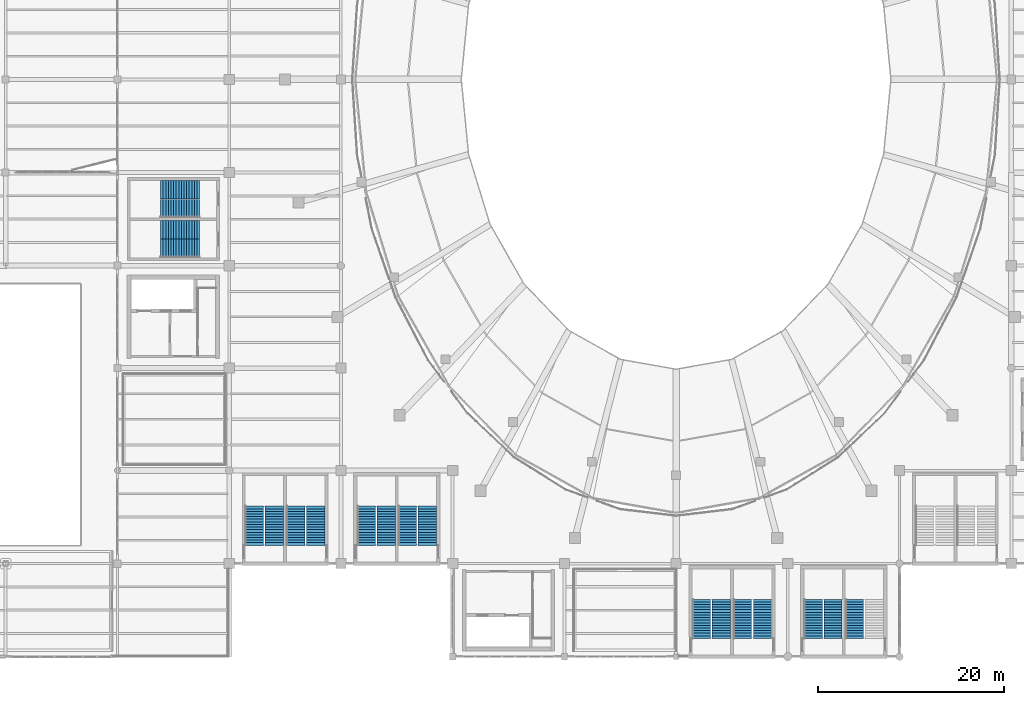
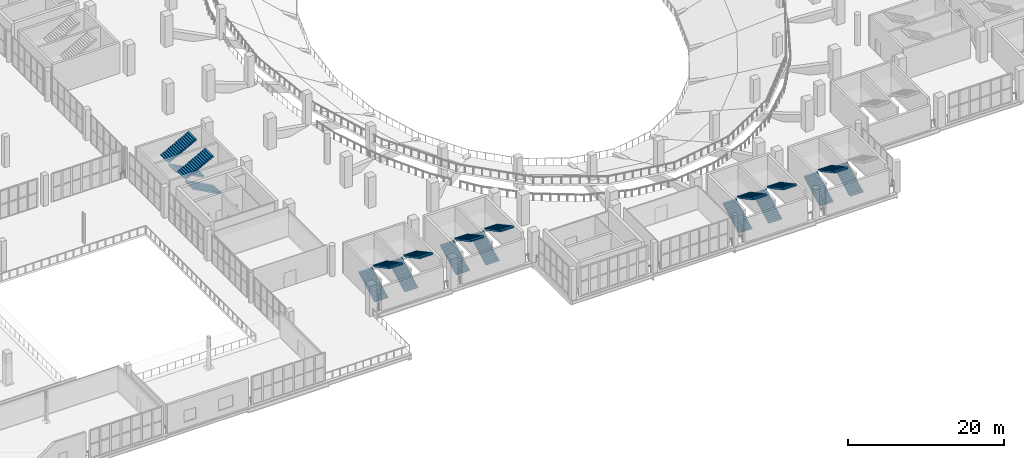
# One storey, part 115 of 136: 19 stair flights, 10 elements without a shape of their own.
"""IFC4 building model written with IfcOpenShell, lengths in metres."""

from ifc_helpers import new_model, si_unit, direction, frame, origin, place, context, subcontext, project, spatial, polyline, outline, extrude, material, layer, layer_set, type_object, element, aggregate, save


model = new_model("IFC4")

# Units and contexts
model_context = context("Model", 3, precision=1e-05, world=origin(), true_north=direction((0.0, 1.0)))
body_context = subcontext(model_context, "Body", "Model", "MODEL_VIEW")
ifc_project = project(units=[si_unit("LENGTHUNIT", "METRE"), si_unit("AREAUNIT", "SQUARE_METRE"), si_unit("VOLUMEUNIT", "CUBIC_METRE"), si_unit("PLANEANGLEUNIT", "RADIAN"), si_unit("MASSUNIT", "GRAM", prefix="KILO")], contexts=[model_context])

# Site, building, storey
site_placement = place(None, origin())
site = spatial("IfcSite", under=ifc_project, at=site_placement, CompositionType="ELEMENT")
building_placement = place(site_placement, origin())
building = spatial("IfcBuilding", under=site, at=building_placement, Name="Brinegate Civic Arena", CompositionType="ELEMENT")
storey_placement = place(building_placement, frame((0.0, 0.0, 5.39990234375)))
storey = spatial("IfcBuildingStorey", under=building, at=storey_placement, Name="L01", CompositionType="ELEMENT", Elevation=5.39990234375)

# Stair, stair flights
ifc_material = material(Name="Concrete C40/50", Category="concrete")
stair_type_1 = type_object("IfcStairType", Name="STAIR-EXIT-3700", PredefinedType="HALF_TURN_STAIR", material=ifc_material)
stair_1_placement = place(storey_placement, origin())
stair_1 = element("IfcStair", 1, at=stair_1_placement, inside=storey, type_object=stair_type_1, Name="Protected Exit Stair ST-02B (L01)", PredefinedType="HALF_TURN_STAIR")
ifc_layer_1 = layer(ifc_material, 0.179931640625, Name="Concrete C40/50")
ifc_layer_set_1 = layer_set([ifc_layer_1], Name="Concrete C40/50")
stair_flight_type_1 = type_object("IfcStairFlightType", Name="FLIGHT-EXIT-3700", PredefinedType="STRAIGHT", material=ifc_layer_set_1)
stair_flight_1_placement = place(storey_placement, frame((67.139892578125, 11.969970703125, 0.0), z_axis=(0.0, 0.0, 1.0), x_axis=(0.0, 1.0, 0.0)))
stair_flight_1 = element("IfcStairFlight", 2, at=stair_flight_1_placement, type_object=stair_flight_type_1, Name="ST-02B flight 1", NumberOfRisers=16, NumberOfTreads=15, PredefinedType="STRAIGHT", RiserHeight=0.15, TreadLength=0.28, context=body_context, shape_type="SweptSolid", body=[
    extrude(outline(polyline([(0.0, 0.0), (0.0, 0.14990234375), (0.280029296875, 0.14990234375), (0.280029296875, 0.300048828125), (0.56005859375, 0.300048828125), (0.56005859375, 0.449951171875), (0.840087890625, 0.449951171875), (0.840087890625, 0.60009765625), (1.1201171875, 0.60009765625), (1.1201171875, 0.75), (1.39990234375, 0.75), (1.39990234375, 0.89990234375), (1.679931640625, 0.89990234375), (1.679931640625, 1.050048828125), (1.9599609375, 1.050048828125), (1.9599609375, 1.199951171875), (2.239990234375, 1.199951171875), (2.239990234375, 1.35009765625), (2.52001953125, 1.35009765625), (2.52001953125, 1.5), (2.800048828125, 1.5), (2.800048828125, 1.64990234375), (3.080078125, 1.64990234375), (3.080078125, 1.800048828125), (3.360107421875, 1.800048828125), (3.360107421875, 1.949951171875), (3.639892578125, 1.949951171875), (3.639892578125, 2.10009765625), (3.919921875, 2.10009765625), (3.919921875, 2.25), (4.199951171875, 2.25), (4.199951171875, 2.39990234375), (4.199951171875, 2.0458984375), (0.381103515625, 0.0), (0.0, 0.0)])), frame((0.0, 0.97998046875, 0.0), z_axis=(0.0, -1.0, 0.0), x_axis=(1.0, 0.0, 0.0)), (0.0, 0.0, 1.0), 1.9599609375),
])
stair_flight_2_placement = place(storey_placement, frame((69.31005859375, 16.169921875, 2.400146484375), z_axis=(0.0, 0.0, 1.0), x_axis=(0.0, -1.0, 0.0)))
stair_flight_2 = element("IfcStairFlight", 3, at=stair_flight_2_placement, type_object=stair_flight_type_1, Name="ST-02B flight 2", NumberOfRisers=16, NumberOfTreads=15, PredefinedType="STRAIGHT", RiserHeight=0.15, TreadLength=0.28, context=body_context, shape_type="SweptSolid", body=[
    extrude(outline(polyline([(0.0, 0.0), (0.0, 0.14990234375), (0.280029296875, 0.14990234375), (0.280029296875, 0.300048828125), (0.56005859375, 0.300048828125), (0.56005859375, 0.449951171875), (0.840087890625, 0.449951171875), (0.840087890625, 0.60009765625), (1.1201171875, 0.60009765625), (1.1201171875, 0.75), (1.39990234375, 0.75), (1.39990234375, 0.89990234375), (1.679931640625, 0.89990234375), (1.679931640625, 1.050048828125), (1.9599609375, 1.050048828125), (1.9599609375, 1.199951171875), (2.239990234375, 1.199951171875), (2.239990234375, 1.35009765625), (2.52001953125, 1.35009765625), (2.52001953125, 1.5), (2.800048828125, 1.5), (2.800048828125, 1.64990234375), (3.080078125, 1.64990234375), (3.080078125, 1.800048828125), (3.360107421875, 1.800048828125), (3.360107421875, 1.949951171875), (3.639892578125, 1.949951171875), (3.639892578125, 2.10009765625), (3.919921875, 2.10009765625), (3.919921875, 2.25), (4.199951171875, 2.25), (4.199951171875, 2.39990234375), (4.199951171875, 2.0458984375), (0.381103515625, 0.0), (0.0, 0.0)])), frame((0.0, 0.97998046875, 0.0), z_axis=(0.0, -1.0, 0.0), x_axis=(1.0, 0.0, 0.0)), (0.0, 0.0, 1.0), 1.9599609375),
])
aggregate(stair_1, [stair_flight_1, stair_flight_2])

# Stair, stair flight
stair_2_placement = place(storey_placement, origin())
stair_2 = element("IfcStair", 4, at=stair_2_placement, inside=storey, type_object=stair_type_1, Name="Protected Exit Stair ST-04B (L01)", PredefinedType="HALF_TURN_STAIR")
stair_flight_3_placement = place(storey_placement, frame((127.139892578125, 1.969970703125, 0.0), z_axis=(0.0, 0.0, 1.0), x_axis=(0.0, 1.0, 0.0)))
stair_flight_3 = element("IfcStairFlight", 5, at=stair_flight_3_placement, type_object=stair_flight_type_1, Name="ST-04B flight 1", NumberOfRisers=16, NumberOfTreads=15, PredefinedType="STRAIGHT", RiserHeight=0.15, TreadLength=0.28, context=body_context, shape_type="SweptSolid", body=[
    extrude(outline(polyline([(0.0, 0.0), (0.0, 0.14990234375), (0.280029296875, 0.14990234375), (0.280029296875, 0.300048828125), (0.56005859375, 0.300048828125), (0.56005859375, 0.449951171875), (0.840087890625, 0.449951171875), (0.840087890625, 0.60009765625), (1.1201171875, 0.60009765625), (1.1201171875, 0.75), (1.39990234375, 0.75), (1.39990234375, 0.89990234375), (1.679931640625, 0.89990234375), (1.679931640625, 1.050048828125), (1.9599609375, 1.050048828125), (1.9599609375, 1.199951171875), (2.239990234375, 1.199951171875), (2.239990234375, 1.35009765625), (2.52001953125, 1.35009765625), (2.52001953125, 1.5), (2.800048828125, 1.5), (2.800048828125, 1.64990234375), (3.080078125, 1.64990234375), (3.080078125, 1.800048828125), (3.360107421875, 1.800048828125), (3.360107421875, 1.949951171875), (3.639892578125, 1.949951171875), (3.639892578125, 2.10009765625), (3.919921875, 2.10009765625), (3.919921875, 2.25), (4.199951171875, 2.25), (4.199951171875, 2.39990234375), (4.199951171875, 2.0458984375), (0.381103515625, 0.0), (0.0, 0.0)])), frame((0.0, 0.97998046875, 0.0), z_axis=(0.0, -1.0, 0.0), x_axis=(1.0, 0.0, 0.0)), (0.0, 0.0, 1.0), 1.9599609375),
])
aggregate(stair_2, [stair_flight_3])

# Stair, stair flights
stair_3_placement = place(storey_placement, origin())
stair_3 = element("IfcStair", 6, at=stair_3_placement, inside=storey, type_object=stair_type_1, Name="Protected Exit Stair ST-08B (L01)", PredefinedType="HALF_TURN_STAIR")
stair_flight_4_placement = place(storey_placement, frame((56.830078125, 48.139892578125, 0.0), z_axis=(0.0, 0.0, 1.0), x_axis=(-1.0, 0.0, 0.0)))
stair_flight_4 = element("IfcStairFlight", 7, at=stair_flight_4_placement, type_object=stair_flight_type_1, Name="ST-08B flight 1", NumberOfRisers=16, NumberOfTreads=15, PredefinedType="STRAIGHT", RiserHeight=0.15, TreadLength=0.28, context=body_context, shape_type="SweptSolid", body=[
    extrude(outline(polyline([(0.0, 0.0), (0.0, 0.14990234375), (0.280029296875, 0.14990234375), (0.280029296875, 0.300048828125), (0.56005859375, 0.300048828125), (0.56005859375, 0.449951171875), (0.840087890625, 0.449951171875), (0.840087890625, 0.60009765625), (1.1201171875, 0.60009765625), (1.1201171875, 0.75), (1.39990234375, 0.75), (1.39990234375, 0.89990234375), (1.679931640625, 0.89990234375), (1.679931640625, 1.050048828125), (1.9599609375, 1.050048828125), (1.9599609375, 1.199951171875), (2.239990234375, 1.199951171875), (2.239990234375, 1.35009765625), (2.52001953125, 1.35009765625), (2.52001953125, 1.5), (2.800048828125, 1.5), (2.800048828125, 1.64990234375), (3.080078125, 1.64990234375), (3.080078125, 1.800048828125), (3.360107421875, 1.800048828125), (3.360107421875, 1.949951171875), (3.639892578125, 1.949951171875), (3.639892578125, 2.10009765625), (3.919921875, 2.10009765625), (3.919921875, 2.25), (4.199951171875, 2.25), (4.199951171875, 2.39990234375), (4.199951171875, 2.0458984375), (0.381103515625, 0.0), (0.0, 0.0)])), frame((0.0, 0.97998046875, 0.0), z_axis=(0.0, -1.0, 0.0), x_axis=(1.0, 0.0, 0.0)), (0.0, 0.0, 1.0), 1.9599609375),
])
stair_flight_5_placement = place(storey_placement, frame((52.6298828125, 50.159912109375, 2.400146484375), z_axis=(0.0, 0.0, 1.0), x_axis=(1.0, 0.0, 0.0)))
stair_flight_5 = element("IfcStairFlight", 8, at=stair_flight_5_placement, type_object=stair_flight_type_1, Name="ST-08B flight 2", NumberOfRisers=16, NumberOfTreads=15, PredefinedType="STRAIGHT", RiserHeight=0.15, TreadLength=0.28, context=body_context, shape_type="SweptSolid", body=[
    extrude(outline(polyline([(0.0, 0.0), (0.0, 0.14990234375), (0.280029296875, 0.14990234375), (0.280029296875, 0.300048828125), (0.56005859375, 0.300048828125), (0.56005859375, 0.449951171875), (0.840087890625, 0.449951171875), (0.840087890625, 0.60009765625), (1.1201171875, 0.60009765625), (1.1201171875, 0.75), (1.39990234375, 0.75), (1.39990234375, 0.89990234375), (1.679931640625, 0.89990234375), (1.679931640625, 1.050048828125), (1.9599609375, 1.050048828125), (1.9599609375, 1.199951171875), (2.239990234375, 1.199951171875), (2.239990234375, 1.35009765625), (2.52001953125, 1.35009765625), (2.52001953125, 1.5), (2.800048828125, 1.5), (2.800048828125, 1.64990234375), (3.080078125, 1.64990234375), (3.080078125, 1.800048828125), (3.360107421875, 1.800048828125), (3.360107421875, 1.949951171875), (3.639892578125, 1.949951171875), (3.639892578125, 2.10009765625), (3.919921875, 2.10009765625), (3.919921875, 2.25), (4.199951171875, 2.25), (4.199951171875, 2.39990234375), (4.199951171875, 2.0458984375), (0.381103515625, 0.0), (0.0, 0.0)])), frame((0.0, 0.97998046875, 0.0), z_axis=(0.0, -1.0, 0.0), x_axis=(1.0, 0.0, 0.0)), (0.0, 0.0, 1.0), 1.9599609375),
])
aggregate(stair_3, [stair_flight_4, stair_flight_5])

stair_4_placement = place(storey_placement, origin())
stair_4 = element("IfcStair", 9, at=stair_4_placement, inside=storey, type_object=stair_type_1, Name="Protected Exit Stair ST-12B (L01)", PredefinedType="HALF_TURN_STAIR")
stair_flight_6_placement = place(storey_placement, frame((79.139892578125, 11.969970703125, 0.0), z_axis=(0.0, 0.0, 1.0), x_axis=(0.0, 1.0, 0.0)))
stair_flight_6 = element("IfcStairFlight", 10, at=stair_flight_6_placement, type_object=stair_flight_type_1, Name="ST-12B flight 1", NumberOfRisers=16, NumberOfTreads=15, PredefinedType="STRAIGHT", RiserHeight=0.15, TreadLength=0.28, context=body_context, shape_type="SweptSolid", body=[
    extrude(outline(polyline([(0.0, 0.0), (0.0, 0.14990234375), (0.280029296875, 0.14990234375), (0.280029296875, 0.300048828125), (0.56005859375, 0.300048828125), (0.56005859375, 0.449951171875), (0.840087890625, 0.449951171875), (0.840087890625, 0.60009765625), (1.1201171875, 0.60009765625), (1.1201171875, 0.75), (1.39990234375, 0.75), (1.39990234375, 0.89990234375), (1.679931640625, 0.89990234375), (1.679931640625, 1.050048828125), (1.9599609375, 1.050048828125), (1.9599609375, 1.199951171875), (2.239990234375, 1.199951171875), (2.239990234375, 1.35009765625), (2.52001953125, 1.35009765625), (2.52001953125, 1.5), (2.800048828125, 1.5), (2.800048828125, 1.64990234375), (3.080078125, 1.64990234375), (3.080078125, 1.800048828125), (3.360107421875, 1.800048828125), (3.360107421875, 1.949951171875), (3.639892578125, 1.949951171875), (3.639892578125, 2.10009765625), (3.919921875, 2.10009765625), (3.919921875, 2.25), (4.199951171875, 2.25), (4.199951171875, 2.39990234375), (4.199951171875, 2.0458984375), (0.381103515625, 0.0), (0.0, 0.0)])), frame((0.0, 0.97998046875, 0.0), z_axis=(0.0, -1.0, 0.0), x_axis=(1.0, 0.0, 0.0)), (0.0, 0.0, 1.0), 1.9599609375),
])
stair_flight_7_placement = place(storey_placement, frame((81.260009765625, 16.169921875, 2.400146484375), z_axis=(0.0, 0.0, 1.0), x_axis=(0.0, -1.0, 0.0)))
stair_flight_7 = element("IfcStairFlight", 11, at=stair_flight_7_placement, type_object=stair_flight_type_1, Name="ST-12B flight 2", NumberOfRisers=16, NumberOfTreads=15, PredefinedType="STRAIGHT", RiserHeight=0.15, TreadLength=0.28, context=body_context, shape_type="SweptSolid", body=[
    extrude(outline(polyline([(0.0, 0.0), (0.0, 0.14990234375), (0.280029296875, 0.14990234375), (0.280029296875, 0.300048828125), (0.56005859375, 0.300048828125), (0.56005859375, 0.449951171875), (0.840087890625, 0.449951171875), (0.840087890625, 0.60009765625), (1.1201171875, 0.60009765625), (1.1201171875, 0.75), (1.39990234375, 0.75), (1.39990234375, 0.89990234375), (1.679931640625, 0.89990234375), (1.679931640625, 1.050048828125), (1.9599609375, 1.050048828125), (1.9599609375, 1.199951171875), (2.239990234375, 1.199951171875), (2.239990234375, 1.35009765625), (2.52001953125, 1.35009765625), (2.52001953125, 1.5), (2.800048828125, 1.5), (2.800048828125, 1.64990234375), (3.080078125, 1.64990234375), (3.080078125, 1.800048828125), (3.360107421875, 1.800048828125), (3.360107421875, 1.949951171875), (3.639892578125, 1.949951171875), (3.639892578125, 2.10009765625), (3.919921875, 2.10009765625), (3.919921875, 2.25), (4.199951171875, 2.25), (4.199951171875, 2.39990234375), (4.199951171875, 2.0458984375), (0.381103515625, 0.0), (0.0, 0.0)])), frame((0.0, 0.97998046875, 0.0), z_axis=(0.0, -1.0, 0.0), x_axis=(1.0, 0.0, 0.0)), (0.0, 0.0, 1.0), 1.9599609375),
])
aggregate(stair_4, [stair_flight_6, stair_flight_7])

stair_5_placement = place(storey_placement, origin())
stair_5 = element("IfcStair", 12, at=stair_5_placement, inside=storey, type_object=stair_type_1, Name="Protected Exit Stair ST-16B (L01)", PredefinedType="HALF_TURN_STAIR")
stair_flight_8_placement = place(storey_placement, frame((115.139892578125, 1.969970703125, 0.0), z_axis=(0.0, 0.0, 1.0), x_axis=(0.0, 1.0, 0.0)))
stair_flight_8 = element("IfcStairFlight", 13, at=stair_flight_8_placement, type_object=stair_flight_type_1, Name="ST-16B flight 1", NumberOfRisers=16, NumberOfTreads=15, PredefinedType="STRAIGHT", RiserHeight=0.15, TreadLength=0.28, context=body_context, shape_type="SweptSolid", body=[
    extrude(outline(polyline([(0.0, 0.0), (0.0, 0.14990234375), (0.280029296875, 0.14990234375), (0.280029296875, 0.300048828125), (0.56005859375, 0.300048828125), (0.56005859375, 0.449951171875), (0.840087890625, 0.449951171875), (0.840087890625, 0.60009765625), (1.1201171875, 0.60009765625), (1.1201171875, 0.75), (1.39990234375, 0.75), (1.39990234375, 0.89990234375), (1.679931640625, 0.89990234375), (1.679931640625, 1.050048828125), (1.9599609375, 1.050048828125), (1.9599609375, 1.199951171875), (2.239990234375, 1.199951171875), (2.239990234375, 1.35009765625), (2.52001953125, 1.35009765625), (2.52001953125, 1.5), (2.800048828125, 1.5), (2.800048828125, 1.64990234375), (3.080078125, 1.64990234375), (3.080078125, 1.800048828125), (3.360107421875, 1.800048828125), (3.360107421875, 1.949951171875), (3.639892578125, 1.949951171875), (3.639892578125, 2.10009765625), (3.919921875, 2.10009765625), (3.919921875, 2.25), (4.199951171875, 2.25), (4.199951171875, 2.39990234375), (4.199951171875, 2.0458984375), (0.381103515625, 0.0), (0.0, 0.0)])), frame((0.0, 0.97998046875, 0.0), z_axis=(0.0, -1.0, 0.0), x_axis=(1.0, 0.0, 0.0)), (0.0, 0.0, 1.0), 1.9599609375),
])
stair_flight_9_placement = place(storey_placement, frame((117.280029296875, 6.169921875, 2.400146484375), z_axis=(0.0, 0.0, 1.0), x_axis=(0.0, -1.0, 0.0)))
stair_flight_9 = element("IfcStairFlight", 14, at=stair_flight_9_placement, type_object=stair_flight_type_1, Name="ST-16B flight 2", NumberOfRisers=16, NumberOfTreads=15, PredefinedType="STRAIGHT", RiserHeight=0.15, TreadLength=0.28, context=body_context, shape_type="SweptSolid", body=[
    extrude(outline(polyline([(0.0, 0.0), (0.0, 0.14990234375), (0.280029296875, 0.14990234375), (0.280029296875, 0.300048828125), (0.56005859375, 0.300048828125), (0.56005859375, 0.449951171875), (0.840087890625, 0.449951171875), (0.840087890625, 0.60009765625), (1.1201171875, 0.60009765625), (1.1201171875, 0.75), (1.39990234375, 0.75), (1.39990234375, 0.89990234375), (1.679931640625, 0.89990234375), (1.679931640625, 1.050048828125), (1.9599609375, 1.050048828125), (1.9599609375, 1.199951171875), (2.239990234375, 1.199951171875), (2.239990234375, 1.35009765625), (2.52001953125, 1.35009765625), (2.52001953125, 1.5), (2.800048828125, 1.5), (2.800048828125, 1.64990234375), (3.080078125, 1.64990234375), (3.080078125, 1.800048828125), (3.360107421875, 1.800048828125), (3.360107421875, 1.949951171875), (3.639892578125, 1.949951171875), (3.639892578125, 2.10009765625), (3.919921875, 2.10009765625), (3.919921875, 2.25), (4.199951171875, 2.25), (4.199951171875, 2.39990234375), (4.199951171875, 2.0458984375), (0.381103515625, 0.0), (0.0, 0.0)])), frame((0.0, 0.97998046875, 0.0), z_axis=(0.0, -1.0, 0.0), x_axis=(1.0, 0.0, 0.0)), (0.0, 0.0, 1.0), 1.9599609375),
])
aggregate(stair_5, [stair_flight_8, stair_flight_9])

stair_type_2 = type_object("IfcStairType", Name="STAIR-EXIT-3850", PredefinedType="HALF_TURN_STAIR", material=ifc_material)
stair_6_placement = place(storey_placement, origin())
stair_6 = element("IfcStair", 15, at=stair_6_placement, inside=storey, type_object=stair_type_2, Name="Protected Exit Stair ST-02A (L01)", PredefinedType="HALF_TURN_STAIR")
ifc_layer_2 = layer(ifc_material, 0.179931640625, Name="Concrete C40/50")
ifc_layer_set_2 = layer_set([ifc_layer_2], Name="Concrete C40/50")
stair_flight_type_2 = type_object("IfcStairFlightType", Name="FLIGHT-EXIT-3850", PredefinedType="STRAIGHT", material=ifc_layer_set_2)
stair_flight_10_placement = place(storey_placement, frame((62.699951171875, 11.969970703125, 0.0), z_axis=(0.0, 0.0, 1.0), x_axis=(0.0, 1.0, 0.0)))
stair_flight_10 = element("IfcStairFlight", 16, at=stair_flight_10_placement, type_object=stair_flight_type_2, Name="ST-02A flight 1", NumberOfRisers=16, NumberOfTreads=15, PredefinedType="STRAIGHT", RiserHeight=0.15, TreadLength=0.28, context=body_context, shape_type="SweptSolid", body=[
    extrude(outline(polyline([(0.0, 0.0), (0.0, 0.14990234375), (0.280029296875, 0.14990234375), (0.280029296875, 0.300048828125), (0.56005859375, 0.300048828125), (0.56005859375, 0.449951171875), (0.840087890625, 0.449951171875), (0.840087890625, 0.60009765625), (1.1201171875, 0.60009765625), (1.1201171875, 0.75), (1.39990234375, 0.75), (1.39990234375, 0.89990234375), (1.679931640625, 0.89990234375), (1.679931640625, 1.050048828125), (1.9599609375, 1.050048828125), (1.9599609375, 1.199951171875), (2.239990234375, 1.199951171875), (2.239990234375, 1.35009765625), (2.52001953125, 1.35009765625), (2.52001953125, 1.5), (2.800048828125, 1.5), (2.800048828125, 1.64990234375), (3.080078125, 1.64990234375), (3.080078125, 1.800048828125), (3.360107421875, 1.800048828125), (3.360107421875, 1.949951171875), (3.639892578125, 1.949951171875), (3.639892578125, 2.10009765625), (3.919921875, 2.10009765625), (3.919921875, 2.25), (4.199951171875, 2.25), (4.199951171875, 2.39990234375), (4.199951171875, 2.0458984375), (0.381103515625, 0.0), (0.0, 0.0)])), frame((0.0, 0.989990234375, 0.0), z_axis=(0.0, -1.0, 0.0), x_axis=(1.0, 0.0, 0.0)), (0.0, 0.0, 1.0), 1.97998046875),
])
stair_flight_11_placement = place(storey_placement, frame((64.85009765625, 16.169921875, 2.400146484375), z_axis=(0.0, 0.0, 1.0), x_axis=(0.0, -1.0, 0.0)))
stair_flight_11 = element("IfcStairFlight", 17, at=stair_flight_11_placement, type_object=stair_flight_type_2, Name="ST-02A flight 2", NumberOfRisers=16, NumberOfTreads=15, PredefinedType="STRAIGHT", RiserHeight=0.15, TreadLength=0.28, context=body_context, shape_type="SweptSolid", body=[
    extrude(outline(polyline([(0.0, 0.0), (0.0, 0.14990234375), (0.280029296875, 0.14990234375), (0.280029296875, 0.300048828125), (0.56005859375, 0.300048828125), (0.56005859375, 0.449951171875), (0.840087890625, 0.449951171875), (0.840087890625, 0.60009765625), (1.1201171875, 0.60009765625), (1.1201171875, 0.75), (1.39990234375, 0.75), (1.39990234375, 0.89990234375), (1.679931640625, 0.89990234375), (1.679931640625, 1.050048828125), (1.9599609375, 1.050048828125), (1.9599609375, 1.199951171875), (2.239990234375, 1.199951171875), (2.239990234375, 1.35009765625), (2.52001953125, 1.35009765625), (2.52001953125, 1.5), (2.800048828125, 1.5), (2.800048828125, 1.64990234375), (3.080078125, 1.64990234375), (3.080078125, 1.800048828125), (3.360107421875, 1.800048828125), (3.360107421875, 1.949951171875), (3.639892578125, 1.949951171875), (3.639892578125, 2.10009765625), (3.919921875, 2.10009765625), (3.919921875, 2.25), (4.199951171875, 2.25), (4.199951171875, 2.39990234375), (4.199951171875, 2.0458984375), (0.381103515625, 0.0), (0.0, 0.0)])), frame((0.0, 0.989990234375, 0.0), z_axis=(0.0, -1.0, 0.0), x_axis=(1.0, 0.0, 0.0)), (0.0, 0.0, 1.0), 1.97998046875),
])
aggregate(stair_6, [stair_flight_10, stair_flight_11])

stair_7_placement = place(storey_placement, origin())
stair_7 = element("IfcStair", 18, at=stair_7_placement, inside=storey, type_object=stair_type_2, Name="Protected Exit Stair ST-04A (L01)", PredefinedType="HALF_TURN_STAIR")
stair_flight_12_placement = place(storey_placement, frame((122.72998046875, 1.969970703125, 0.0), z_axis=(0.0, 0.0, 1.0), x_axis=(0.0, 1.0, 0.0)))
stair_flight_12 = element("IfcStairFlight", 19, at=stair_flight_12_placement, type_object=stair_flight_type_2, Name="ST-04A flight 1", NumberOfRisers=16, NumberOfTreads=15, PredefinedType="STRAIGHT", RiserHeight=0.15, TreadLength=0.28, context=body_context, shape_type="SweptSolid", body=[
    extrude(outline(polyline([(0.0, 0.0), (0.0, 0.14990234375), (0.280029296875, 0.14990234375), (0.280029296875, 0.300048828125), (0.56005859375, 0.300048828125), (0.56005859375, 0.449951171875), (0.840087890625, 0.449951171875), (0.840087890625, 0.60009765625), (1.1201171875, 0.60009765625), (1.1201171875, 0.75), (1.39990234375, 0.75), (1.39990234375, 0.89990234375), (1.679931640625, 0.89990234375), (1.679931640625, 1.050048828125), (1.9599609375, 1.050048828125), (1.9599609375, 1.199951171875), (2.239990234375, 1.199951171875), (2.239990234375, 1.35009765625), (2.52001953125, 1.35009765625), (2.52001953125, 1.5), (2.800048828125, 1.5), (2.800048828125, 1.64990234375), (3.080078125, 1.64990234375), (3.080078125, 1.800048828125), (3.360107421875, 1.800048828125), (3.360107421875, 1.949951171875), (3.639892578125, 1.949951171875), (3.639892578125, 2.10009765625), (3.919921875, 2.10009765625), (3.919921875, 2.25), (4.199951171875, 2.25), (4.199951171875, 2.39990234375), (4.199951171875, 2.0458984375), (0.381103515625, 0.0), (0.0, 0.0)])), frame((0.0, 0.989990234375, 0.0), z_axis=(0.0, -1.0, 0.0), x_axis=(1.0, 0.0, 0.0)), (0.0, 0.0, 1.0), 1.97998046875),
])
stair_flight_13_placement = place(storey_placement, frame((124.85009765625, 6.169921875, 2.400146484375), z_axis=(0.0, 0.0, 1.0), x_axis=(0.0, -1.0, 0.0)))
stair_flight_13 = element("IfcStairFlight", 20, at=stair_flight_13_placement, type_object=stair_flight_type_2, Name="ST-04A flight 2", NumberOfRisers=16, NumberOfTreads=15, PredefinedType="STRAIGHT", RiserHeight=0.15, TreadLength=0.28, context=body_context, shape_type="SweptSolid", body=[
    extrude(outline(polyline([(0.0, 0.0), (0.0, 0.14990234375), (0.280029296875, 0.14990234375), (0.280029296875, 0.300048828125), (0.56005859375, 0.300048828125), (0.56005859375, 0.449951171875), (0.840087890625, 0.449951171875), (0.840087890625, 0.60009765625), (1.1201171875, 0.60009765625), (1.1201171875, 0.75), (1.39990234375, 0.75), (1.39990234375, 0.89990234375), (1.679931640625, 0.89990234375), (1.679931640625, 1.050048828125), (1.9599609375, 1.050048828125), (1.9599609375, 1.199951171875), (2.239990234375, 1.199951171875), (2.239990234375, 1.35009765625), (2.52001953125, 1.35009765625), (2.52001953125, 1.5), (2.800048828125, 1.5), (2.800048828125, 1.64990234375), (3.080078125, 1.64990234375), (3.080078125, 1.800048828125), (3.360107421875, 1.800048828125), (3.360107421875, 1.949951171875), (3.639892578125, 1.949951171875), (3.639892578125, 2.10009765625), (3.919921875, 2.10009765625), (3.919921875, 2.25), (4.199951171875, 2.25), (4.199951171875, 2.39990234375), (4.199951171875, 2.0458984375), (0.381103515625, 0.0), (0.0, 0.0)])), frame((0.0, 0.989990234375, 0.0), z_axis=(0.0, -1.0, 0.0), x_axis=(1.0, 0.0, 0.0)), (0.0, 0.0, 1.0), 1.97998046875),
])
aggregate(stair_7, [stair_flight_12, stair_flight_13])

stair_8_placement = place(storey_placement, origin())
stair_8 = element("IfcStair", 21, at=stair_8_placement, inside=storey, type_object=stair_type_2, Name="Protected Exit Stair ST-08A (L01)", PredefinedType="HALF_TURN_STAIR")
stair_flight_14_placement = place(storey_placement, frame((56.830078125, 43.85009765625, 0.0), z_axis=(0.0, 0.0, 1.0), x_axis=(-1.0, 0.0, 0.0)))
stair_flight_14 = element("IfcStairFlight", 22, at=stair_flight_14_placement, type_object=stair_flight_type_2, Name="ST-08A flight 1", NumberOfRisers=16, NumberOfTreads=15, PredefinedType="STRAIGHT", RiserHeight=0.15, TreadLength=0.28, context=body_context, shape_type="SweptSolid", body=[
    extrude(outline(polyline([(0.0, 0.0), (0.0, 0.14990234375), (0.280029296875, 0.14990234375), (0.280029296875, 0.300048828125), (0.56005859375, 0.300048828125), (0.56005859375, 0.449951171875), (0.840087890625, 0.449951171875), (0.840087890625, 0.60009765625), (1.1201171875, 0.60009765625), (1.1201171875, 0.75), (1.39990234375, 0.75), (1.39990234375, 0.89990234375), (1.679931640625, 0.89990234375), (1.679931640625, 1.050048828125), (1.9599609375, 1.050048828125), (1.9599609375, 1.199951171875), (2.239990234375, 1.199951171875), (2.239990234375, 1.35009765625), (2.52001953125, 1.35009765625), (2.52001953125, 1.5), (2.800048828125, 1.5), (2.800048828125, 1.64990234375), (3.080078125, 1.64990234375), (3.080078125, 1.800048828125), (3.360107421875, 1.800048828125), (3.360107421875, 1.949951171875), (3.639892578125, 1.949951171875), (3.639892578125, 2.10009765625), (3.919921875, 2.10009765625), (3.919921875, 2.25), (4.199951171875, 2.25), (4.199951171875, 2.39990234375), (4.199951171875, 2.0458984375), (0.381103515625, 0.0), (0.0, 0.0)])), frame((0.0, 0.989990234375, 0.0), z_axis=(0.0, -1.0, 0.0), x_axis=(1.0, 0.0, 0.0)), (0.0, 0.0, 1.0), 1.97998046875),
])
stair_flight_15_placement = place(storey_placement, frame((52.6298828125, 45.85009765625, 2.400146484375), z_axis=(0.0, 0.0, 1.0), x_axis=(1.0, 0.0, 0.0)))
stair_flight_15 = element("IfcStairFlight", 23, at=stair_flight_15_placement, type_object=stair_flight_type_2, Name="ST-08A flight 2", NumberOfRisers=16, NumberOfTreads=15, PredefinedType="STRAIGHT", RiserHeight=0.15, TreadLength=0.28, context=body_context, shape_type="SweptSolid", body=[
    extrude(outline(polyline([(0.0, 0.0), (0.0, 0.14990234375), (0.280029296875, 0.14990234375), (0.280029296875, 0.300048828125), (0.56005859375, 0.300048828125), (0.56005859375, 0.449951171875), (0.840087890625, 0.449951171875), (0.840087890625, 0.60009765625), (1.1201171875, 0.60009765625), (1.1201171875, 0.75), (1.39990234375, 0.75), (1.39990234375, 0.89990234375), (1.679931640625, 0.89990234375), (1.679931640625, 1.050048828125), (1.9599609375, 1.050048828125), (1.9599609375, 1.199951171875), (2.239990234375, 1.199951171875), (2.239990234375, 1.35009765625), (2.52001953125, 1.35009765625), (2.52001953125, 1.5), (2.800048828125, 1.5), (2.800048828125, 1.64990234375), (3.080078125, 1.64990234375), (3.080078125, 1.800048828125), (3.360107421875, 1.800048828125), (3.360107421875, 1.949951171875), (3.639892578125, 1.949951171875), (3.639892578125, 2.10009765625), (3.919921875, 2.10009765625), (3.919921875, 2.25), (4.199951171875, 2.25), (4.199951171875, 2.39990234375), (4.199951171875, 2.0458984375), (0.381103515625, 0.0), (0.0, 0.0)])), frame((0.0, 0.989990234375, 0.0), z_axis=(0.0, -1.0, 0.0), x_axis=(1.0, 0.0, 0.0)), (0.0, 0.0, 1.0), 1.97998046875),
])
aggregate(stair_8, [stair_flight_14, stair_flight_15])

stair_9_placement = place(storey_placement, origin())
stair_9 = element("IfcStair", 24, at=stair_9_placement, inside=storey, type_object=stair_type_2, Name="Protected Exit Stair ST-12A (L01)", PredefinedType="HALF_TURN_STAIR")
stair_flight_16_placement = place(storey_placement, frame((74.75, 11.969970703125, 0.0), z_axis=(0.0, 0.0, 1.0), x_axis=(0.0, 1.0, 0.0)))
stair_flight_16 = element("IfcStairFlight", 25, at=stair_flight_16_placement, type_object=stair_flight_type_2, Name="ST-12A flight 1", NumberOfRisers=16, NumberOfTreads=15, PredefinedType="STRAIGHT", RiserHeight=0.15, TreadLength=0.28, context=body_context, shape_type="SweptSolid", body=[
    extrude(outline(polyline([(0.0, 0.0), (0.0, 0.14990234375), (0.280029296875, 0.14990234375), (0.280029296875, 0.300048828125), (0.56005859375, 0.300048828125), (0.56005859375, 0.449951171875), (0.840087890625, 0.449951171875), (0.840087890625, 0.60009765625), (1.1201171875, 0.60009765625), (1.1201171875, 0.75), (1.39990234375, 0.75), (1.39990234375, 0.89990234375), (1.679931640625, 0.89990234375), (1.679931640625, 1.050048828125), (1.9599609375, 1.050048828125), (1.9599609375, 1.199951171875), (2.239990234375, 1.199951171875), (2.239990234375, 1.35009765625), (2.52001953125, 1.35009765625), (2.52001953125, 1.5), (2.800048828125, 1.5), (2.800048828125, 1.64990234375), (3.080078125, 1.64990234375), (3.080078125, 1.800048828125), (3.360107421875, 1.800048828125), (3.360107421875, 1.949951171875), (3.639892578125, 1.949951171875), (3.639892578125, 2.10009765625), (3.919921875, 2.10009765625), (3.919921875, 2.25), (4.199951171875, 2.25), (4.199951171875, 2.39990234375), (4.199951171875, 2.0458984375), (0.381103515625, 0.0), (0.0, 0.0)])), frame((0.0, 0.989990234375, 0.0), z_axis=(0.0, -1.0, 0.0), x_axis=(1.0, 0.0, 0.0)), (0.0, 0.0, 1.0), 1.97998046875),
])
stair_flight_17_placement = place(storey_placement, frame((76.85009765625, 16.169921875, 2.400146484375), z_axis=(0.0, 0.0, 1.0), x_axis=(0.0, -1.0, 0.0)))
stair_flight_17 = element("IfcStairFlight", 26, at=stair_flight_17_placement, type_object=stair_flight_type_2, Name="ST-12A flight 2", NumberOfRisers=16, NumberOfTreads=15, PredefinedType="STRAIGHT", RiserHeight=0.15, TreadLength=0.28, context=body_context, shape_type="SweptSolid", body=[
    extrude(outline(polyline([(0.0, 0.0), (0.0, 0.14990234375), (0.280029296875, 0.14990234375), (0.280029296875, 0.300048828125), (0.56005859375, 0.300048828125), (0.56005859375, 0.449951171875), (0.840087890625, 0.449951171875), (0.840087890625, 0.60009765625), (1.1201171875, 0.60009765625), (1.1201171875, 0.75), (1.39990234375, 0.75), (1.39990234375, 0.89990234375), (1.679931640625, 0.89990234375), (1.679931640625, 1.050048828125), (1.9599609375, 1.050048828125), (1.9599609375, 1.199951171875), (2.239990234375, 1.199951171875), (2.239990234375, 1.35009765625), (2.52001953125, 1.35009765625), (2.52001953125, 1.5), (2.800048828125, 1.5), (2.800048828125, 1.64990234375), (3.080078125, 1.64990234375), (3.080078125, 1.800048828125), (3.360107421875, 1.800048828125), (3.360107421875, 1.949951171875), (3.639892578125, 1.949951171875), (3.639892578125, 2.10009765625), (3.919921875, 2.10009765625), (3.919921875, 2.25), (4.199951171875, 2.25), (4.199951171875, 2.39990234375), (4.199951171875, 2.0458984375), (0.381103515625, 0.0), (0.0, 0.0)])), frame((0.0, 0.989990234375, 0.0), z_axis=(0.0, -1.0, 0.0), x_axis=(1.0, 0.0, 0.0)), (0.0, 0.0, 1.0), 1.97998046875),
])
aggregate(stair_9, [stair_flight_16, stair_flight_17])

stair_10_placement = place(storey_placement, origin())
stair_10 = element("IfcStair", 27, at=stair_10_placement, inside=storey, type_object=stair_type_2, Name="Protected Exit Stair ST-16A (L01)", PredefinedType="HALF_TURN_STAIR")
stair_flight_18_placement = place(storey_placement, frame((110.72998046875, 1.969970703125, 0.0), z_axis=(0.0, 0.0, 1.0), x_axis=(0.0, 1.0, 0.0)))
stair_flight_18 = element("IfcStairFlight", 28, at=stair_flight_18_placement, type_object=stair_flight_type_2, Name="ST-16A flight 1", NumberOfRisers=16, NumberOfTreads=15, PredefinedType="STRAIGHT", RiserHeight=0.15, TreadLength=0.28, context=body_context, shape_type="SweptSolid", body=[
    extrude(outline(polyline([(0.0, 0.0), (0.0, 0.14990234375), (0.280029296875, 0.14990234375), (0.280029296875, 0.300048828125), (0.56005859375, 0.300048828125), (0.56005859375, 0.449951171875), (0.840087890625, 0.449951171875), (0.840087890625, 0.60009765625), (1.1201171875, 0.60009765625), (1.1201171875, 0.75), (1.39990234375, 0.75), (1.39990234375, 0.89990234375), (1.679931640625, 0.89990234375), (1.679931640625, 1.050048828125), (1.9599609375, 1.050048828125), (1.9599609375, 1.199951171875), (2.239990234375, 1.199951171875), (2.239990234375, 1.35009765625), (2.52001953125, 1.35009765625), (2.52001953125, 1.5), (2.800048828125, 1.5), (2.800048828125, 1.64990234375), (3.080078125, 1.64990234375), (3.080078125, 1.800048828125), (3.360107421875, 1.800048828125), (3.360107421875, 1.949951171875), (3.639892578125, 1.949951171875), (3.639892578125, 2.10009765625), (3.919921875, 2.10009765625), (3.919921875, 2.25), (4.199951171875, 2.25), (4.199951171875, 2.39990234375), (4.199951171875, 2.0458984375), (0.381103515625, 0.0), (0.0, 0.0)])), frame((0.0, 0.989990234375, 0.0), z_axis=(0.0, -1.0, 0.0), x_axis=(1.0, 0.0, 0.0)), (0.0, 0.0, 1.0), 1.97998046875),
])
stair_flight_19_placement = place(storey_placement, frame((112.85009765625, 6.169921875, 2.400146484375), z_axis=(0.0, 0.0, 1.0), x_axis=(0.0, -1.0, 0.0)))
stair_flight_19 = element("IfcStairFlight", 29, at=stair_flight_19_placement, type_object=stair_flight_type_2, Name="ST-16A flight 2", NumberOfRisers=16, NumberOfTreads=15, PredefinedType="STRAIGHT", RiserHeight=0.15, TreadLength=0.28, context=body_context, shape_type="SweptSolid", body=[
    extrude(outline(polyline([(0.0, 0.0), (0.0, 0.14990234375), (0.280029296875, 0.14990234375), (0.280029296875, 0.300048828125), (0.56005859375, 0.300048828125), (0.56005859375, 0.449951171875), (0.840087890625, 0.449951171875), (0.840087890625, 0.60009765625), (1.1201171875, 0.60009765625), (1.1201171875, 0.75), (1.39990234375, 0.75), (1.39990234375, 0.89990234375), (1.679931640625, 0.89990234375), (1.679931640625, 1.050048828125), (1.9599609375, 1.050048828125), (1.9599609375, 1.199951171875), (2.239990234375, 1.199951171875), (2.239990234375, 1.35009765625), (2.52001953125, 1.35009765625), (2.52001953125, 1.5), (2.800048828125, 1.5), (2.800048828125, 1.64990234375), (3.080078125, 1.64990234375), (3.080078125, 1.800048828125), (3.360107421875, 1.800048828125), (3.360107421875, 1.949951171875), (3.639892578125, 1.949951171875), (3.639892578125, 2.10009765625), (3.919921875, 2.10009765625), (3.919921875, 2.25), (4.199951171875, 2.25), (4.199951171875, 2.39990234375), (4.199951171875, 2.0458984375), (0.381103515625, 0.0), (0.0, 0.0)])), frame((0.0, 0.989990234375, 0.0), z_axis=(0.0, -1.0, 0.0), x_axis=(1.0, 0.0, 0.0)), (0.0, 0.0, 1.0), 1.97998046875),
])
aggregate(stair_10, [stair_flight_18, stair_flight_19])

save(model, "model.ifc")
